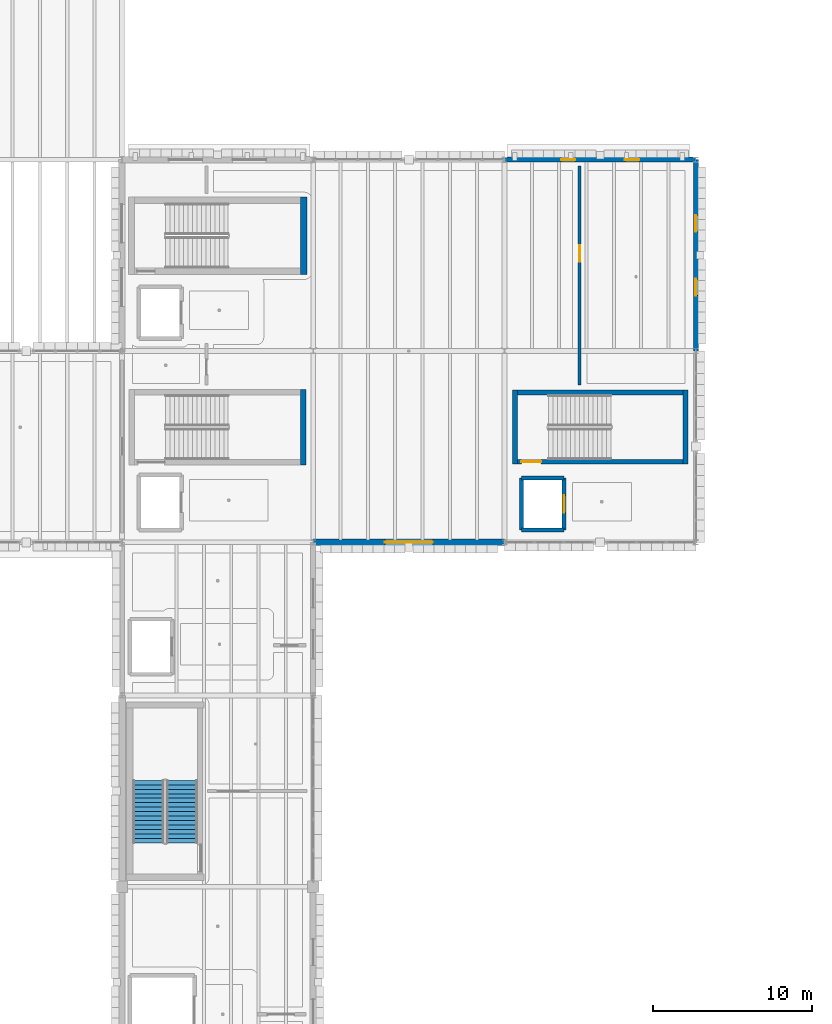
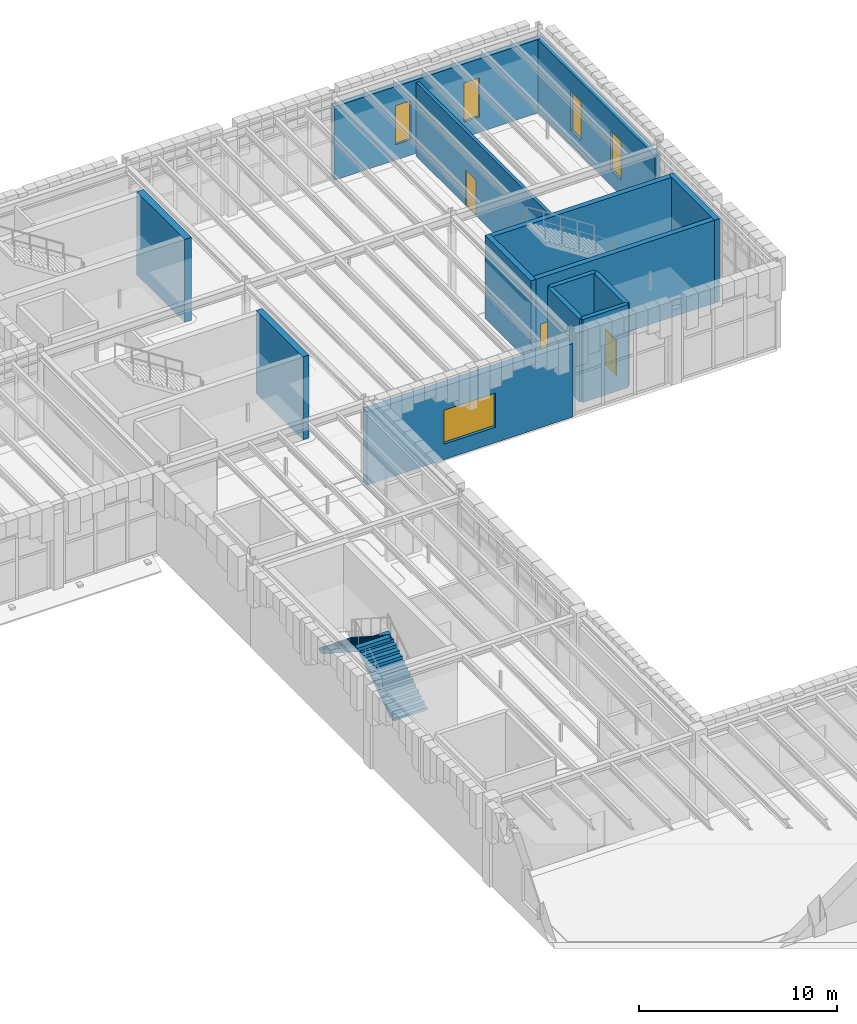
# One storey, part 61 of 100: 14 walls, 5 windows, 3 doors, 2 stair flights, 8 openings, 1 element without a shape of its own.
"""IFC4 building model written with IfcOpenShell, lengths in metres."""

from ifc_helpers import new_model, si_unit, direction, frame, frame_2d, origin, place, context, subcontext, project, spatial, polyline, rectangle, outline, extrude, material, layer, layer_set, type_object, element, fill, aggregate, save


model = new_model("IFC4")

# Units and contexts
model_context = context("Model", 3, precision=1e-05, world=origin(), true_north=direction((0.0, 1.0)))
body_context = subcontext(model_context, "Body", "Model", "MODEL_VIEW")
ifc_project = project(units=[si_unit("LENGTHUNIT", "METRE"), si_unit("AREAUNIT", "SQUARE_METRE"), si_unit("VOLUMEUNIT", "CUBIC_METRE"), si_unit("PLANEANGLEUNIT", "RADIAN"), si_unit("MASSUNIT", "GRAM", prefix="KILO")], contexts=[model_context])

# Site, building, storey
site_placement = place(None, origin())
site = spatial("IfcSite", under=ifc_project, at=site_placement, CompositionType="ELEMENT")
building_placement = place(site_placement, origin())
building = spatial("IfcBuilding", under=site, at=building_placement, Name="Zlatogorsky Bluff Art Gallery", CompositionType="ELEMENT")
storey_placement = place(building_placement, frame((0.0, 0.0, 5.39990234375)))
storey = spatial("IfcBuildingStorey", under=building, at=storey_placement, Name="L01", CompositionType="ELEMENT", Elevation=5.39990234375)

# Wall, opening, window
ifc_material_1 = material(Name="Precast concrete C40/50", Category="concrete")
ifc_layer_1 = layer(ifc_material_1, 0.39990234375)
ifc_layer_set_1 = layer_set([ifc_layer_1], Name="Exterior Wall EW-02 400mm")
wall_type_1 = type_object("IfcWallType", Name="Exterior Wall EW-02 400mm", PredefinedType="SOLIDWALL", material=ifc_layer_set_1)
wall_1_placement = place(storey_placement, frame((132.0, 84.0, 0.0), z_axis=(0.0, 0.0, 1.0), x_axis=(1.0, 0.0, 0.0)))
wall_1 = element("IfcWall", 1, at=wall_1_placement, inside=storey, type_object=wall_type_1, Name="Exterior wall EW-02 L01 S 11.8", PredefinedType="SOLIDWALL", context=body_context, shape_type="SweptSolid", body=[
    extrude(rectangle(XDim=12.0, YDim=0.39990234375, at=frame_2d((6.0, 0.0))), origin(), (0.0, 0.0, 1.0), 4.530029296875),
])
opening_1_placement = place(wall_1_placement, frame((4.5, 0.0, 0.949951171875)))
opening_1 = element("IfcOpeningElement", 2, at=opening_1_placement, cuts=wall_1, Name="Opening WN-35", PredefinedType="OPENING", context=body_context, shape_type="SweptSolid", body=[
    extrude(rectangle(XDim=3.0, YDim=2.10009765625, at=frame_2d((1.5, 1.050048828125))), frame((0.0, 0.2099609375, 0.0), z_axis=(0.0, -1.0, 0.0), x_axis=(1.0, 0.0, 0.0)), (0.0, 0.0, 1.0), 0.419921875),
])
ifc_material_2 = material(Name="Bronze-Anodised Aluminium Triple Glazing", Category="aluminium")
window_type_1 = type_object("IfcWindowType", Name="Pointed-Reveal Window WN-35 3000x2100", PartitioningType="SINGLE_PANEL", PredefinedType="WINDOW", material=ifc_material_2)
window_1_placement = place(opening_1_placement, origin())
window_1 = element("IfcWindow", 3, at=window_1_placement, inside=storey, type_object=window_type_1, Name="Window WN-35 L01.S.11.8.1", OverallHeight=2.10009765625, OverallWidth=3.0, PartitioningType="SINGLE_PANEL", PredefinedType="WINDOW", context=body_context, shape_type="SweptSolid", body=[
    extrude(rectangle(XDim=3.0, YDim=2.10009765625, at=frame_2d((1.5, 1.050048828125))), frame((0.0, 0.030029296875, 0.0), z_axis=(0.0, -1.0, 0.0), x_axis=(1.0, 0.0, 0.0)), (0.0, 0.0, 1.0), 0.06005859375),
])
fill(opening_1, window_1)

# Wall, openings, windows
ifc_layer_2 = layer(ifc_material_1, 0.320068359375)
ifc_layer_set_2 = layer_set([ifc_layer_2], Name="Exterior Wall EW-04 320mm")
wall_type_2 = type_object("IfcWallType", Name="Exterior Wall EW-04 320mm", PredefinedType="SOLIDWALL", material=ifc_layer_set_2)
wall_2_placement = place(storey_placement, frame((156.0, 108.0, 0.0), z_axis=(0.0, 0.0, 1.0), x_axis=(-1.0, 0.0, 0.0)))
wall_2 = element("IfcWall", 4, at=wall_2_placement, inside=storey, type_object=wall_type_2, Name="Exterior wall EW-04 L01 N 12.9", PredefinedType="SOLIDWALL", context=body_context, shape_type="SweptSolid", body=[
    extrude(rectangle(XDim=12.0, YDim=0.320068359375, at=frame_2d((6.0, 0.0))), origin(), (0.0, 0.0, 1.0), 4.530029296875),
])
opening_2_placement = place(wall_2_placement, frame((3.550048828125, 0.0, 0.949951171875)))
opening_2 = element("IfcOpeningElement", 5, at=opening_2_placement, cuts=wall_2, Name="Opening WN-37", PredefinedType="OPENING", context=body_context, shape_type="SweptSolid", body=[
    extrude(rectangle(XDim=0.89990234375, YDim=2.39990234375, at=frame_2d((0.449951171875, 1.199951171875))), frame((0.0, 0.169921875, 0.0), z_axis=(0.0, -1.0, 0.0), x_axis=(1.0, 0.0, 0.0)), (0.0, 0.0, 1.0), 0.340087890625),
])
opening_3_placement = place(wall_2_placement, frame((7.550048828125, 0.0, 0.949951171875)))
opening_3 = element("IfcOpeningElement", 6, at=opening_3_placement, cuts=wall_2, Name="Opening WN-37", PredefinedType="OPENING", context=body_context, shape_type="SweptSolid", body=[
    extrude(rectangle(XDim=0.89990234375, YDim=2.39990234375, at=frame_2d((0.449951171875, 1.199951171875))), frame((0.0, 0.169921875, 0.0), z_axis=(0.0, -1.0, 0.0), x_axis=(1.0, 0.0, 0.0)), (0.0, 0.0, 1.0), 0.340087890625),
])
window_type_2 = type_object("IfcWindowType", Name="Pointed-Reveal Window WN-37 900x2400", PartitioningType="SINGLE_PANEL", PredefinedType="WINDOW", material=ifc_material_2)
window_2_placement = place(opening_2_placement, origin())
window_2 = element("IfcWindow", 7, at=window_2_placement, inside=storey, type_object=window_type_2, Name="Window WN-37 L01.N.12.9.1", OverallHeight=2.39990234375, OverallWidth=0.89990234375, PartitioningType="SINGLE_PANEL", PredefinedType="WINDOW", context=body_context, shape_type="SweptSolid", body=[
    extrude(rectangle(XDim=0.89990234375, YDim=2.39990234375, at=frame_2d((0.449951171875, 1.199951171875))), frame((0.0, 0.030029296875, 0.0), z_axis=(0.0, -1.0, 0.0), x_axis=(1.0, 0.0, 0.0)), (0.0, 0.0, 1.0), 0.06005859375),
])
fill(opening_2, window_2)
window_3_placement = place(opening_3_placement, origin())
window_3 = element("IfcWindow", 8, at=window_3_placement, inside=storey, type_object=window_type_2, Name="Window WN-37 L01.N.12.9.2", OverallHeight=2.39990234375, OverallWidth=0.89990234375, PartitioningType="SINGLE_PANEL", PredefinedType="WINDOW", context=body_context, shape_type="SweptSolid", body=[
    extrude(rectangle(XDim=0.89990234375, YDim=2.39990234375, at=frame_2d((0.449951171875, 1.199951171875))), frame((0.0, 0.030029296875, 0.0), z_axis=(0.0, -1.0, 0.0), x_axis=(1.0, 0.0, 0.0)), (0.0, 0.0, 1.0), 0.06005859375),
])
fill(opening_3, window_3)

wall_3_placement = place(storey_placement, frame((156.0, 96.0, 0.0), z_axis=(0.0, 0.0, 1.0), x_axis=(0.0, 1.0, 0.0)))
wall_3 = element("IfcWall", 9, at=wall_3_placement, inside=storey, type_object=wall_type_2, Name="Exterior wall EW-04 L01 E 12.9", PredefinedType="SOLIDWALL", context=body_context, shape_type="SweptSolid", body=[
    extrude(rectangle(XDim=12.0, YDim=0.320068359375, at=frame_2d((6.0, 0.0))), origin(), (0.0, 0.0, 1.0), 4.530029296875),
])
opening_4_placement = place(wall_3_placement, frame((3.47509765625, 0.0, 0.949951171875)))
opening_4 = element("IfcOpeningElement", 10, at=opening_4_placement, cuts=wall_3, Name="Opening WN-38", PredefinedType="OPENING", context=body_context, shape_type="SweptSolid", body=[
    extrude(rectangle(XDim=1.050048828125, YDim=2.39990234375, at=frame_2d((0.52490234375, 1.199951171875))), frame((0.0, 0.169921875, 0.0), z_axis=(0.0, -1.0, 0.0), x_axis=(1.0, 0.0, 0.0)), (0.0, 0.0, 1.0), 0.340087890625),
])
opening_5_placement = place(wall_3_placement, frame((7.47509765625, 0.0, 0.949951171875)))
opening_5 = element("IfcOpeningElement", 11, at=opening_5_placement, cuts=wall_3, Name="Opening WN-38", PredefinedType="OPENING", context=body_context, shape_type="SweptSolid", body=[
    extrude(rectangle(XDim=1.050048828125, YDim=2.39990234375, at=frame_2d((0.52490234375, 1.199951171875))), frame((0.0, 0.169921875, 0.0), z_axis=(0.0, -1.0, 0.0), x_axis=(1.0, 0.0, 0.0)), (0.0, 0.0, 1.0), 0.340087890625),
])
window_type_3 = type_object("IfcWindowType", Name="Pointed-Reveal Window WN-38 1050x2400", PartitioningType="SINGLE_PANEL", PredefinedType="WINDOW", material=ifc_material_2)
window_4_placement = place(opening_4_placement, origin())
window_4 = element("IfcWindow", 12, at=window_4_placement, inside=storey, type_object=window_type_3, Name="Window WN-38 L01.E.12.9.1", OverallHeight=2.39990234375, OverallWidth=1.050048828125, PartitioningType="SINGLE_PANEL", PredefinedType="WINDOW", context=body_context, shape_type="SweptSolid", body=[
    extrude(rectangle(XDim=1.050048828125, YDim=2.39990234375, at=frame_2d((0.52490234375, 1.199951171875))), frame((0.0, 0.030029296875, 0.0), z_axis=(0.0, -1.0, 0.0), x_axis=(1.0, 0.0, 0.0)), (0.0, 0.0, 1.0), 0.06005859375),
])
fill(opening_4, window_4)
window_5_placement = place(opening_5_placement, origin())
window_5 = element("IfcWindow", 13, at=window_5_placement, inside=storey, type_object=window_type_3, Name="Window WN-38 L01.E.12.9.2", OverallHeight=2.39990234375, OverallWidth=1.050048828125, PartitioningType="SINGLE_PANEL", PredefinedType="WINDOW", context=body_context, shape_type="SweptSolid", body=[
    extrude(rectangle(XDim=1.050048828125, YDim=2.39990234375, at=frame_2d((0.52490234375, 1.199951171875))), frame((0.0, 0.030029296875, 0.0), z_axis=(0.0, -1.0, 0.0), x_axis=(1.0, 0.0, 0.0)), (0.0, 0.0, 1.0), 0.06005859375),
])
fill(opening_5, window_5)

# Wall, opening, door
ifc_material_3 = material(Name="Concrete C30/37", Category="concrete")
ifc_layer_3 = layer(ifc_material_3, 0.179931640625)
ifc_layer_set_3 = layer_set([ifc_layer_3], Name="Interior Wall IW-02 180mm")
wall_type_3 = type_object("IfcWallType", Name="Interior Wall IW-02 180mm", PredefinedType="PARTITIONING", material=ifc_layer_set_3)
wall_4_placement = place(storey_placement, frame((148.710693359375, 93.8701171875, 0.0), z_axis=(0.0, 0.0, 1.0), x_axis=(0.0, 1.0, 0.0)))
wall_4 = element("IfcWall", 14, at=wall_4_placement, inside=storey, type_object=wall_type_3, Name="Partition IW-02 between L01-ST-12 and L01-ST-13", PredefinedType="PARTITIONING", context=body_context, shape_type="SweptSolid", body=[
    extrude(rectangle(XDim=13.75, YDim=0.179931640625, at=frame_2d((6.875, 0.0))), origin(), (0.0, 0.0, 1.0), 4.550048828125),
])
opening_6_placement = place(wall_4_placement, frame((7.72509765625, 0.0, 0.0)))
opening_6 = element("IfcOpeningElement", 15, at=opening_6_placement, cuts=wall_4, Name="Opening ID-04", PredefinedType="OPENING", context=body_context, shape_type="SweptSolid", body=[
    extrude(rectangle(XDim=1.050048828125, YDim=2.199951171875, at=frame_2d((0.52490234375, 1.10009765625))), frame((0.0, 0.099853515625, 0.0), z_axis=(0.0, -1.0, 0.0), x_axis=(1.0, 0.0, 0.0)), (0.0, 0.0, 1.0), 0.199951171875),
])
ifc_material_4 = material(Name="Anodised Aluminium and Laminated Timber", Category="wood")
door_type_1 = type_object("IfcDoorType", Name="Interior Door ID-04 1050x2200", OperationType="SINGLE_SWING_LEFT", PredefinedType="DOOR", material=ifc_material_4)
door_1_placement = place(opening_6_placement, origin())
door_1 = element("IfcDoor", 16, at=door_1_placement, inside=storey, type_object=door_type_1, Name="Door ID-04 L01-ST-12-L01-ST-13", OperationType="SINGLE_SWING_LEFT", OverallHeight=2.199951171875, OverallWidth=1.050048828125, PredefinedType="DOOR", context=body_context, shape_type="SweptSolid", body=[
    extrude(rectangle(XDim=1.050048828125, YDim=2.199951171875, at=frame_2d((0.52490234375, 1.10009765625))), frame((0.0, 0.02490234375, 0.0), z_axis=(0.0, -1.0, 0.0), x_axis=(1.0, 0.0, 0.0)), (0.0, 0.0, 1.0), 0.050048828125),
])
fill(opening_6, door_1)

# Wall
ifc_material_5 = material(Name="Concrete C35/45", Category="concrete")
ifc_layer_4 = layer(ifc_material_5, 0.25)
ifc_layer_set_4 = layer_set([ifc_layer_4], Name="Interior Wall IW-05 250mm")
wall_type_4 = type_object("IfcWallType", Name="Interior Wall IW-05 250mm", PredefinedType="SOLIDWALL", material=ifc_layer_set_4)
wall_5_placement = place(storey_placement, frame((145.074951171875, 84.77490234375, 0.0), z_axis=(0.0, 0.0, 1.0), x_axis=(1.0, 0.0, 0.0)))
element("IfcWall", 17, at=wall_5_placement, inside=storey, type_object=wall_type_4, Name="Lift PL-2 shaft wall L01 S", PredefinedType="SOLIDWALL", context=body_context, shape_type="SweptSolid", body=[
    extrude(rectangle(XDim=2.650146484375, YDim=0.25, at=frame_2d((1.3251953125, 0.0))), origin(), (0.0, 0.0, 1.0), 5.110107421875),
])

# Wall, opening, door
wall_6_placement = place(storey_placement, frame((147.72509765625, 84.77490234375, 0.0), z_axis=(0.0, 0.0, 1.0), x_axis=(0.0, 1.0, 0.0)))
wall_6 = element("IfcWall", 18, at=wall_6_placement, inside=storey, type_object=wall_type_4, Name="Lift PL-2 shaft wall L01 E", PredefinedType="SOLIDWALL", context=body_context, shape_type="SweptSolid", body=[
    extrude(rectangle(XDim=3.25, YDim=0.25, at=frame_2d((1.625, 0.0))), origin(), (0.0, 0.0, 1.0), 5.110107421875),
])
opening_7_placement = place(wall_6_placement, frame((1.074951171875, 0.0, 0.0)))
opening_7 = element("IfcOpeningElement", 19, at=opening_7_placement, cuts=wall_6, Name="Opening LD-01", PredefinedType="OPENING", context=body_context, shape_type="SweptSolid", body=[
    extrude(rectangle(XDim=1.10009765625, YDim=2.199951171875, at=frame_2d((0.550048828125, 1.10009765625))), frame((0.0, 0.135009765625, 0.0), z_axis=(0.0, -1.0, 0.0), x_axis=(1.0, 0.0, 0.0)), (0.0, 0.0, 1.0), 0.27001953125),
])
door_type_2 = type_object("IfcDoorType", Name="Interior Door LD-01 1100x2200", OperationType="SLIDING_TO_LEFT", PredefinedType="DOOR", material=ifc_material_4)
door_2_placement = place(opening_7_placement, origin())
door_2 = element("IfcDoor", 20, at=door_2_placement, inside=storey, type_object=door_type_2, Name="Lift PL-2 sliding landing door L01", OperationType="SLIDING_TO_LEFT", OverallHeight=2.199951171875, OverallWidth=1.10009765625, PredefinedType="DOOR", context=body_context, shape_type="SweptSolid", body=[
    extrude(rectangle(XDim=1.10009765625, YDim=2.199951171875, at=frame_2d((0.550048828125, 1.10009765625))), frame((0.0, 0.02490234375, 0.0), z_axis=(0.0, -1.0, 0.0), x_axis=(1.0, 0.0, 0.0)), (0.0, 0.0, 1.0), 0.050048828125),
])
fill(opening_7, door_2)

# Walls
wall_7_placement = place(storey_placement, frame((147.72509765625, 88.02490234375, 0.0), z_axis=(0.0, 0.0, 1.0), x_axis=(-1.0, 0.0, 0.0)))
element("IfcWall", 21, at=wall_7_placement, inside=storey, type_object=wall_type_4, Name="Lift PL-2 shaft wall L01 N", PredefinedType="SOLIDWALL", context=body_context, shape_type="SweptSolid", body=[
    extrude(rectangle(XDim=2.650146484375, YDim=0.25, at=frame_2d((1.3251953125, 0.0))), origin(), (0.0, 0.0, 1.0), 5.110107421875),
])
wall_8_placement = place(storey_placement, frame((145.074951171875, 88.02490234375, 0.0), z_axis=(0.0, 0.0, 1.0), x_axis=(0.0, -1.0, 0.0)))
element("IfcWall", 22, at=wall_8_placement, inside=storey, type_object=wall_type_4, Name="Lift PL-2 shaft wall L01 W", PredefinedType="SOLIDWALL", context=body_context, shape_type="SweptSolid", body=[
    extrude(rectangle(XDim=3.25, YDim=0.25, at=frame_2d((1.625, 0.0))), origin(), (0.0, 0.0, 1.0), 5.110107421875),
])

# Wall, opening, door
ifc_layer_5 = layer(ifc_material_5, 0.300048828125)
ifc_layer_set_5 = layer_set([ifc_layer_5], Name="Interior Wall SW-01 300mm")
wall_type_5 = type_object("IfcWallType", Name="Interior Wall SW-01 300mm", PredefinedType="SHEAR", material=ifc_layer_set_5)
wall_9_placement = place(storey_placement, frame((144.5, 89.050048828125, 0.0), z_axis=(0.0, 0.0, 1.0), x_axis=(1.0, 0.0, 0.0)))
wall_9 = element("IfcWall", 23, at=wall_9_placement, inside=storey, type_object=wall_type_5, Name="Stair ST-04 enclosure wall L01 W0", PredefinedType="SHEAR", context=body_context, shape_type="SweptSolid", body=[
    extrude(rectangle(XDim=11.0, YDim=0.300048828125, at=frame_2d((5.5, 0.0))), origin(), (0.0, 0.0, 1.0), 5.110107421875),
])
opening_8_placement = place(wall_9_placement, frame((0.550048828125, 0.0, 0.0)))
opening_8 = element("IfcOpeningElement", 24, at=opening_8_placement, cuts=wall_9, Name="Opening FD-02", PredefinedType="OPENING", context=body_context, shape_type="SweptSolid", body=[
    extrude(rectangle(XDim=1.239990234375, YDim=2.25, at=frame_2d((0.6201171875, 1.125))), frame((0.0, 0.159912109375, 0.0), z_axis=(0.0, -1.0, 0.0), x_axis=(1.0, 0.0, 0.0)), (0.0, 0.0, 1.0), 0.320068359375),
])
door_type_3 = type_object("IfcDoorType", Name="Interior Door FD-02 1240x2250", OperationType="SINGLE_SWING_LEFT", PredefinedType="DOOR", material=ifc_material_4)
door_3_placement = place(opening_8_placement, origin())
door_3 = element("IfcDoor", 25, at=door_3_placement, inside=storey, type_object=door_type_3, Name="Stair ST-04 fire door L01", OperationType="SINGLE_SWING_RIGHT", OverallHeight=2.25, OverallWidth=1.239990234375, PredefinedType="DOOR", context=body_context, shape_type="SweptSolid", body=[
    extrude(rectangle(XDim=1.239990234375, YDim=2.25, at=frame_2d((0.6201171875, 1.125))), frame((0.0, 0.02490234375, 0.0), z_axis=(0.0, -1.0, 0.0), x_axis=(1.0, 0.0, 0.0)), (0.0, 0.0, 1.0), 0.050048828125),
])
fill(opening_8, door_3)

# Walls
wall_10_placement = place(storey_placement, frame((155.35009765625, 88.89990234375, 0.0), z_axis=(0.0, 0.0, 1.0), x_axis=(0.0, 1.0, 0.0)))
element("IfcWall", 26, at=wall_10_placement, inside=storey, type_object=wall_type_5, Name="Stair ST-04 enclosure wall L01 FEND", PredefinedType="SHEAR", context=body_context, shape_type="SweptSolid", body=[
    extrude(rectangle(XDim=4.650146484375, YDim=0.300048828125, at=frame_2d((2.3251953125, 0.0))), origin(), (0.0, 0.0, 1.0), 5.110107421875),
])
wall_11_placement = place(storey_placement, frame((155.5, 93.39990234375, 0.0), z_axis=(0.0, 0.0, 1.0), x_axis=(-1.0, 0.0, 0.0)))
element("IfcWall", 27, at=wall_11_placement, inside=storey, type_object=wall_type_5, Name="Stair ST-04 enclosure wall L01 W1", PredefinedType="SHEAR", context=body_context, shape_type="SweptSolid", body=[
    extrude(rectangle(XDim=11.0, YDim=0.300048828125, at=frame_2d((5.5, 0.0))), origin(), (0.0, 0.0, 1.0), 5.110107421875),
])
wall_12_placement = place(storey_placement, frame((144.64990234375, 93.550048828125, 0.0), z_axis=(0.0, 0.0, 1.0), x_axis=(0.0, -1.0, 0.0)))
element("IfcWall", 28, at=wall_12_placement, inside=storey, type_object=wall_type_5, Name="Stair ST-04 enclosure wall L01 LEND", PredefinedType="SHEAR", context=body_context, shape_type="SweptSolid", body=[
    extrude(rectangle(XDim=4.650146484375, YDim=0.300048828125, at=frame_2d((2.3251953125, 0.0))), origin(), (0.0, 0.0, 1.0), 5.110107421875),
])
ifc_layer_6 = layer(ifc_material_5, 0.35009765625)
ifc_layer_set_6 = layer_set([ifc_layer_6], Name="Interior Wall SW-02 350mm")
wall_type_6 = type_object("IfcWallType", Name="Interior Wall SW-02 350mm", PredefinedType="SHEAR", material=ifc_layer_set_6)
wall_13_placement = place(storey_placement, frame((131.375, 88.85009765625, 0.0), z_axis=(0.0, 0.0, 1.0), x_axis=(0.0, 1.0, 0.0)))
element("IfcWall", 29, at=wall_13_placement, inside=storey, type_object=wall_type_6, Name="Stair ST-02 enclosure wall L01 FEND", PredefinedType="SHEAR", context=body_context, shape_type="SweptSolid", body=[
    extrude(rectangle(XDim=4.75, YDim=0.35009765625, at=frame_2d((2.375, 0.0))), origin(), (0.0, 0.0, 1.0), 5.110107421875),
])
ifc_layer_7 = layer(ifc_material_5, 0.39990234375)
ifc_layer_set_7 = layer_set([ifc_layer_7], Name="Interior Wall SW-03 400mm")
wall_type_7 = type_object("IfcWallType", Name="Interior Wall SW-03 400mm", PredefinedType="SHEAR", material=ifc_layer_set_7)
wall_14_placement = place(storey_placement, frame((131.39990234375, 100.800048828125, 0.0), z_axis=(0.0, 0.0, 1.0), x_axis=(0.0, 1.0, 0.0)))
element("IfcWall", 30, at=wall_14_placement, inside=storey, type_object=wall_type_7, Name="Stair ST-03 enclosure wall L01 FEND", PredefinedType="SHEAR", context=body_context, shape_type="SweptSolid", body=[
    extrude(rectangle(XDim=4.849853515625, YDim=0.39990234375, at=frame_2d((2.4248046875, 0.0))), origin(), (0.0, 0.0, 1.0), 5.110107421875),
])

# Stair, stair flights
stair_type = type_object("IfcStairType", Name="Protected Dogleg Stair ST-T3", PredefinedType="HALF_TURN_STAIR", material=ifc_material_3)
stair_placement = place(storey_placement, origin())
stair = element("IfcStair", 31, at=stair_placement, inside=storey, type_object=stair_type, Name="L01 Protected Exit Stair ST-06", PredefinedType="HALF_TURN_STAIR")
stair_flight_type = type_object("IfcStairFlightType", Name="Stair Flight ST-T3", PredefinedType="STRAIGHT", material=ifc_material_3)
stair_flight_1_placement = place(storey_placement, frame((123.77490234375, 65.14990234375, 0.0), z_axis=(0.0, 0.0, 1.0), x_axis=(0.0, 1.0, 0.0)))
stair_flight_1 = element("IfcStairFlight", 32, at=stair_flight_1_placement, type_object=stair_flight_type, Name="ST-06 flight 1", NumberOfRisers=15, NumberOfTreads=14, PredefinedType="STRAIGHT", RiserHeight=0.18, TreadLength=0.28, context=body_context, shape_type="SweptSolid", body=[
    extrude(outline(polyline([(0.0, 0.0), (0.0, 0.179931640625), (0.280029296875, 0.179931640625), (0.280029296875, 0.360107421875), (0.56005859375, 0.360107421875), (0.56005859375, 0.5400390625), (0.840087890625, 0.5400390625), (0.840087890625, 0.719970703125), (1.1201171875, 0.719970703125), (1.1201171875, 0.89990234375), (1.39990234375, 0.89990234375), (1.39990234375, 1.080078125), (1.679931640625, 1.080078125), (1.679931640625, 1.260009765625), (1.9599609375, 1.260009765625), (1.9599609375, 1.43994140625), (2.239990234375, 1.43994140625), (2.239990234375, 1.6201171875), (2.52001953125, 1.6201171875), (2.52001953125, 1.800048828125), (2.800048828125, 1.800048828125), (2.800048828125, 1.97998046875), (3.080078125, 1.97998046875), (3.080078125, 2.159912109375), (3.360107421875, 2.159912109375), (3.360107421875, 2.340087890625), (3.639892578125, 2.340087890625), (3.639892578125, 2.52001953125), (3.919921875, 2.52001953125), (3.919921875, 2.699951171875), (3.919921875, 2.30615234375), (0.332763671875, 0.0), (0.0, 0.0)])), frame((0.0, 0.97509765625, 0.0), z_axis=(0.0, -1.0, 0.0), x_axis=(1.0, 0.0, 0.0)), (0.0, 0.0, 1.0), 1.949951171875),
])
stair_flight_2_placement = place(storey_placement, frame((121.675048828125, 69.070068359375, 2.7001953125), z_axis=(0.0, 0.0, 1.0), x_axis=(0.0, -1.0, 0.0)))
stair_flight_2 = element("IfcStairFlight", 33, at=stair_flight_2_placement, type_object=stair_flight_type, Name="ST-06 flight 2", NumberOfRisers=15, NumberOfTreads=14, PredefinedType="STRAIGHT", RiserHeight=0.18, TreadLength=0.28, context=body_context, shape_type="SweptSolid", body=[
    extrude(outline(polyline([(0.0, 0.0), (0.0, 0.179931640625), (0.280029296875, 0.179931640625), (0.280029296875, 0.360107421875), (0.56005859375, 0.360107421875), (0.56005859375, 0.5400390625), (0.840087890625, 0.5400390625), (0.840087890625, 0.719970703125), (1.1201171875, 0.719970703125), (1.1201171875, 0.89990234375), (1.39990234375, 0.89990234375), (1.39990234375, 1.080078125), (1.679931640625, 1.080078125), (1.679931640625, 1.260009765625), (1.9599609375, 1.260009765625), (1.9599609375, 1.43994140625), (2.239990234375, 1.43994140625), (2.239990234375, 1.6201171875), (2.52001953125, 1.6201171875), (2.52001953125, 1.800048828125), (2.800048828125, 1.800048828125), (2.800048828125, 1.97998046875), (3.080078125, 1.97998046875), (3.080078125, 2.159912109375), (3.360107421875, 2.159912109375), (3.360107421875, 2.340087890625), (3.639892578125, 2.340087890625), (3.639892578125, 2.52001953125), (3.919921875, 2.52001953125), (3.919921875, 2.699951171875), (3.919921875, 2.30615234375), (0.332763671875, 0.0), (0.0, 0.0)])), frame((0.0, 0.97509765625, 0.0), z_axis=(0.0, -1.0, 0.0), x_axis=(1.0, 0.0, 0.0)), (0.0, 0.0, 1.0), 1.949951171875),
])
aggregate(stair, [stair_flight_1, stair_flight_2])

save(model, "model.ifc")
